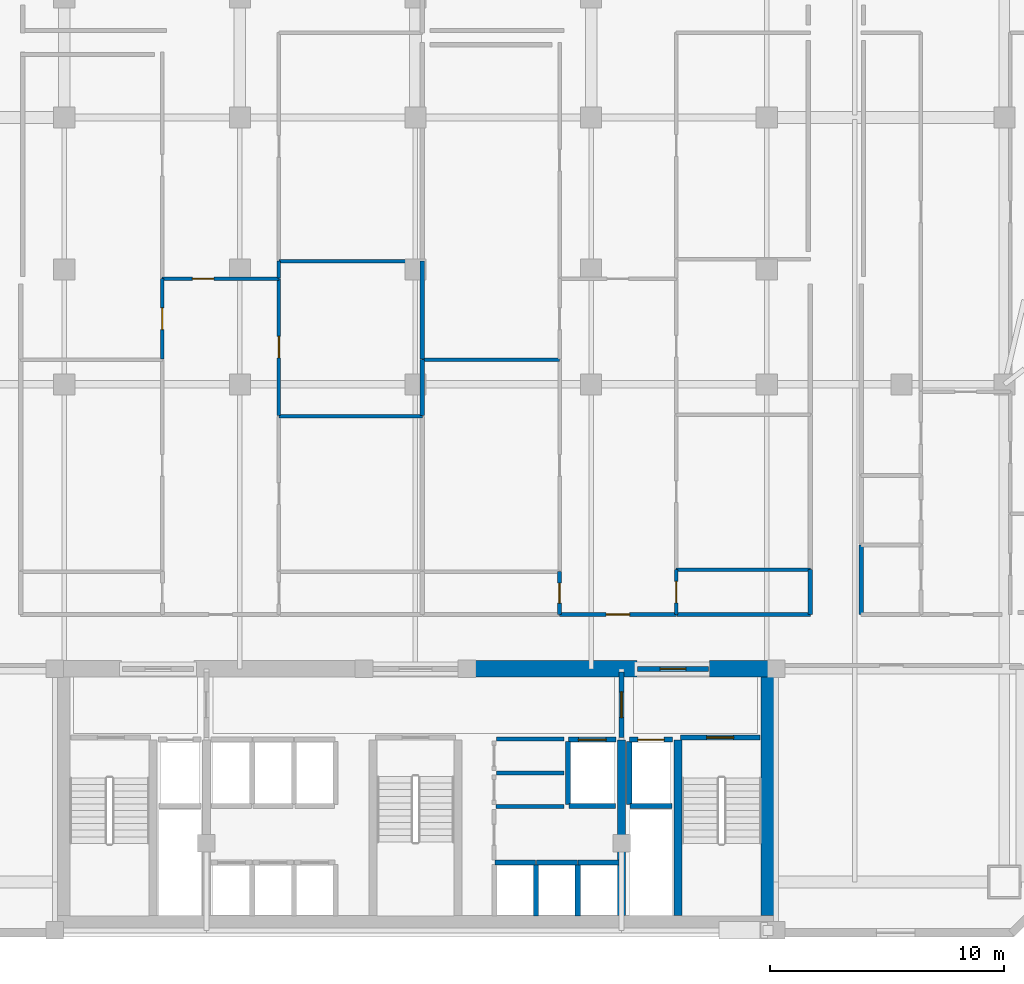
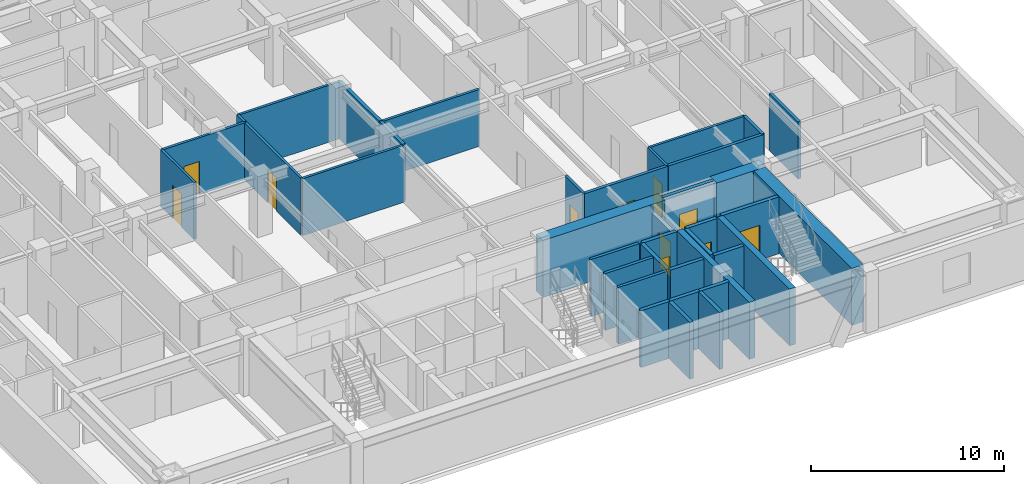
# One storey, part 5 of 10: 38 walls, 11 doors, 11 openings.
"""IFC4 building model written with IfcOpenShell, lengths in metres."""

from ifc_helpers import new_model, si_unit, direction, frame, frame_2d, origin, place, context, subcontext, project, spatial, rectangle, extrude, material, layer, layer_set, type_object, element, fill, save


model = new_model("IFC4")

# Units and contexts
model_context = context("Model", 3, precision=1e-05, world=origin(), true_north=direction((0.0, 1.0)))
body_context = subcontext(model_context, "Body", "Model", "MODEL_VIEW")
ifc_project = project(units=[si_unit("LENGTHUNIT", "METRE"), si_unit("AREAUNIT", "SQUARE_METRE"), si_unit("VOLUMEUNIT", "CUBIC_METRE"), si_unit("PLANEANGLEUNIT", "RADIAN"), si_unit("MASSUNIT", "GRAM", prefix="KILO")], contexts=[model_context])

# Site, building, storey
site_placement = place(None, origin())
site = spatial("IfcSite", under=ifc_project, at=site_placement, CompositionType="ELEMENT")
building_placement = place(site_placement, origin())
building = spatial("IfcBuilding", under=site, at=building_placement, Name="Ventersveld Concourse Tower", CompositionType="ELEMENT")
storey_placement = place(building_placement, frame((0.0, 0.0, 88.75)))
storey = spatial("IfcBuildingStorey", under=building, at=storey_placement, Name="L21", CompositionType="ELEMENT", Elevation=88.75)

# Walls
ifc_material_1 = material(Name="Concrete C60/75", Category="concrete")
ifc_layer_1 = layer(ifc_material_1, 0.35009765625)
ifc_layer_set_1 = layer_set([ifc_layer_1], Name="Concrete C60/75")
wall_type_1 = type_object("IfcWallType", Name="WL-CORE-350L", PredefinedType="SHEAR", material=ifc_layer_set_1)
for number, where, z_axis, x_axis, name in (
    (1, (37.550048828125, 0.919921875, 0.0), (0.0, 0.0, 1.0), (0.0, 1.0, 0.0), "L21 Core Internal Shear Web W-SVL-W"),
    (2, (39.9599609375, 0.919921875, 0.0), (0.0, 0.0, 1.0), (0.0, 1.0, 0.0), "L21 Core Internal Shear Web W-ST2-W"),
):
    element("IfcWall", number, at=place(storey_placement, frame(where, z_axis=z_axis, x_axis=x_axis)), inside=storey, type_object=wall_type_1, Name=name, PredefinedType="SHEAR", context=body_context, shape_type="SweptSolid", body=[
        extrude(rectangle(XDim=7.5, YDim=0.35009765625, at=frame_2d((3.75, 0.0))), origin(), (0.0, 0.0, 1.0), 3.60009765625),
    ])
ifc_layer_2 = layer(ifc_material_1, 0.699951171875)
ifc_layer_set_2 = layer_set([ifc_layer_2], Name="Concrete C60/75")
wall_type_2 = type_object("IfcWallType", Name="WL-CORE-700", PredefinedType="SHEAR", material=ifc_layer_set_2)
wall_1_placement = place(storey_placement, frame((43.85009765625, 0.919921875, 0.0), z_axis=(0.0, 0.0, 1.0), x_axis=(0.0, 1.0, 0.0)))
element("IfcWall", 3, at=wall_1_placement, inside=storey, type_object=wall_type_2, Name="L21 Rear Core East Shear Wall", PredefinedType="SHEAR", context=body_context, shape_type="SweptSolid", body=[
    extrude(rectangle(XDim=10.530029296875, YDim=0.699951171875, at=frame_2d((5.26513671875, 0.0))), origin(), (0.0, 0.0, 1.0), 3.60009765625),
])
wall_2_placement = place(storey_placement, frame((30.89990234375, 11.449951171875, 0.0), z_axis=(0.0, 0.0, 1.0), x_axis=(1.0, 0.0, 0.0)))
element("IfcWall", 4, at=wall_2_placement, inside=storey, type_object=wall_type_2, Name="L21 Rear Core North Shear Wall NMR", PredefinedType="SHEAR", context=body_context, shape_type="SweptSolid", body=[
    extrude(rectangle(XDim=7.300048828125, YDim=0.699951171875, at=frame_2d((3.64990234375, 0.0))), origin(), (0.0, 0.0, 1.0), 3.60009765625),
])
wall_3_placement = place(storey_placement, frame((41.300048828125, 11.449951171875, 0.0), z_axis=(0.0, 0.0, 1.0), x_axis=(1.0, 0.0, 0.0)))
element("IfcWall", 5, at=wall_3_placement, inside=storey, type_object=wall_type_2, Name="L21 Rear Core North Shear Wall NE", PredefinedType="SHEAR", context=body_context, shape_type="SweptSolid", body=[
    extrude(rectangle(XDim=2.949951171875, YDim=0.699951171875, at=frame_2d((1.47509765625, 0.0))), origin(), (0.0, 0.0, 1.0), 3.60009765625),
])
ifc_material_2 = material(Name="Fire-rated autoclaved aerated masonry blockwork", Category="masonry")
ifc_layer_3 = layer(ifc_material_2, 0.179931640625)
ifc_layer_set_3 = layer_set([ifc_layer_3], Name="Fire-rated autoclaved aerated masonry blockwork")
wall_type_3 = type_object("IfcWallType", Name="WL-CORR-180", PredefinedType="PARTITIONING", material=ifc_layer_set_3)
wall_4_placement = place(storey_placement, frame((32.219970703125, 7.0, 0.0), z_axis=(0.0, 0.0, 1.0), x_axis=(1.0, 0.0, 0.0)))
element("IfcWall", 6, at=wall_4_placement, inside=storey, type_object=wall_type_3, Name="L21 Core Top Wall SP-L21-CBAY1S", PredefinedType="PARTITIONING", context=body_context, shape_type="SweptSolid", body=[
    extrude(rectangle(XDim=2.880126953125, YDim=0.179931640625, at=frame_2d((1.43994140625, 0.0))), origin(), (0.0, 0.0, 1.0), 3.60009765625),
])
wall_5_placement = place(storey_placement, frame((32.179931640625, 5.570068359375, 0.0), z_axis=(0.0, 0.0, 1.0), x_axis=(1.0, 0.0, 0.0)))
element("IfcWall", 7, at=wall_5_placement, inside=storey, type_object=wall_type_3, Name="L21 Core Bot Wall SP-L21-CBAY1S", PredefinedType="PARTITIONING", context=body_context, shape_type="SweptSolid", body=[
    extrude(rectangle(XDim=2.920166015625, YDim=0.179931640625, at=frame_2d((1.4599609375, 0.0))), origin(), (0.0, 0.0, 1.0), 3.60009765625),
])
wall_6_placement = place(storey_placement, frame((32.219970703125, 8.4599609375, 0.0), z_axis=(0.0, 0.0, 1.0), x_axis=(1.0, 0.0, 0.0)))
element("IfcWall", 8, at=wall_6_placement, inside=storey, type_object=wall_type_3, Name="L21 Core Top Wall SP-L21-CBAY1N", PredefinedType="PARTITIONING", context=body_context, shape_type="SweptSolid", body=[
    extrude(rectangle(XDim=2.880126953125, YDim=0.179931640625, at=frame_2d((1.43994140625, 0.0))), origin(), (0.0, 0.0, 1.0), 3.60009765625),
])
wall_7_placement = place(storey_placement, frame((47.7900390625, 13.764892578125, 0.0), z_axis=(0.0, 0.0, 1.0), x_axis=(0.0, 1.0, 0.0)))
element("IfcWall", 9, at=wall_7_placement, inside=storey, type_object=wall_type_3, Name="L21 Interior Partition SP-L21-COR-SP-L21-21NE-BATH", PredefinedType="PARTITIONING", context=body_context, shape_type="SweptSolid", body=[
    extrude(rectangle(XDim=2.978271484375, YDim=0.179931640625, at=frame_2d((1.4892578125, 0.0))), origin(), (0.0, 0.0, 1.0), 3.60009765625),
])

# Wall, opening, door
wall_8_placement = place(storey_placement, frame((34.896484375, 13.77001953125, 0.0), z_axis=(0.0, 0.0, 1.0), x_axis=(1.0, 0.0, 0.0)))
wall_8 = element("IfcWall", 10, at=wall_8_placement, inside=storey, type_object=wall_type_3, Name="L21 Interior Partition SP-L21-COR-SP-L21-21N2-FOY", PredefinedType="PARTITIONING", context=body_context, shape_type="SweptSolid", body=[
    extrude(rectangle(XDim=4.990234375, YDim=0.179931640625, at=frame_2d((2.4951171875, 0.0))), origin(), (0.0, 0.0, 1.0), 3.60009765625),
])
opening_1_placement = place(wall_8_placement, frame((1.9951171875, 0.0, 0.0)))
opening_1 = element("IfcOpeningElement", 11, at=opening_1_placement, cuts=wall_8, Name="Opening FD3", PredefinedType="OPENING", context=body_context, shape_type="SweptSolid", body=[
    extrude(rectangle(XDim=1.0, YDim=2.14990234375, at=frame_2d((0.5, 1.074951171875))), frame((0.0, 0.10009765625, 0.0), z_axis=(0.0, -1.0, 0.0), x_axis=(1.0, 0.0, 0.0)), (0.0, 0.0, 1.0), 0.199951171875),
])
ifc_material_3 = material(Name="Solid-core hardwood veneer timber", Category="wood")
door_type_1 = type_object("IfcDoorType", Name="DR-FLAT-100", OperationType="NOTDEFINED", PredefinedType="DOOR", material=ifc_material_3)
door_1_placement = place(opening_1_placement, origin())
door_1 = element("IfcDoor", 12, at=door_1_placement, inside=storey, type_object=door_type_1, Name="L21 Interior Door SP-L21-COR to SP-L21-21N2-FOY (FD-L21-1013)", OperationType="SINGLE_SWING_LEFT", OverallHeight=2.14990234375, OverallWidth=1.0, PredefinedType="DOOR", context=body_context, shape_type="SweptSolid", body=[
    extrude(rectangle(XDim=1.0, YDim=2.14990234375, at=frame_2d((0.5, 1.074951171875))), frame((0.0, 0.02490234375, 0.0), z_axis=(0.0, -1.0, 0.0), x_axis=(1.0, 0.0, 0.0)), (0.0, 0.0, 1.0), 0.050048828125),
])
fill(opening_1, door_1)

# Walls
wall_9_placement = place(storey_placement, frame((39.91650390625, 13.77001953125, 0.0), z_axis=(0.0, 0.0, 1.0), x_axis=(1.0, 0.0, 0.0)))
element("IfcWall", 13, at=wall_9_placement, inside=storey, type_object=wall_type_3, Name="L21 Interior Partition SP-L21-COR-SP-L21-21N2-KIT", PredefinedType="PARTITIONING", context=body_context, shape_type="SweptSolid", body=[
    extrude(rectangle(XDim=5.698486328125, YDim=0.179931640625, at=frame_2d((2.84912109375, 0.0))), origin(), (0.0, 0.0, 1.0), 3.60009765625),
])
wall_10_placement = place(storey_placement, frame((45.610107421875, 13.764892578125, 0.0), z_axis=(0.0, 0.0, 1.0), x_axis=(0.0, 1.0, 0.0)))
element("IfcWall", 14, at=wall_10_placement, inside=storey, type_object=wall_type_3, Name="L21 Interior Partition SP-L21-COR-SP-L21-21N2-KIT", PredefinedType="PARTITIONING", context=body_context, shape_type="SweptSolid", body=[
    extrude(rectangle(XDim=1.92041015625, YDim=0.179931640625, at=frame_2d((0.960205078125, 0.0))), origin(), (0.0, 0.0, 1.0), 3.60009765625),
])
ifc_layer_4 = layer(ifc_material_2, 0.199951171875)
ifc_layer_set_4 = layer_set([ifc_layer_4], Name="Fire-rated autoclaved aerated masonry blockwork")
wall_type_4 = type_object("IfcWallType", Name="WL-DEMISE-200", PredefinedType="PARTITIONING", material=ifc_layer_set_4)
wall_11_placement = place(storey_placement, frame((29.036865234375, 22.267822265625, 0.0), z_axis=(0.0, 0.0, 1.0), x_axis=(0.0, 1.0, 0.0)))
element("IfcWall", 15, at=wall_11_placement, inside=storey, type_object=wall_type_4, Name="L21 Interior Partition SP-L21-21N1-DENS-SP-L21-21N2-DENL", PredefinedType="PARTITIONING", context=body_context, shape_type="SweptSolid", body=[
    extrude(rectangle(XDim=2.386962890625, YDim=0.199951171875, at=frame_2d((1.193359375, 0.0))), origin(), (0.0, 0.0, 1.0), 3.60009765625),
])
wall_12_placement = place(storey_placement, frame((29.036865234375, 24.684814453125, 0.0), z_axis=(0.0, 0.0, 1.0), x_axis=(0.0, 1.0, 0.0)))
element("IfcWall", 16, at=wall_12_placement, inside=storey, type_object=wall_type_4, Name="L21 Interior Partition SP-L21-21N1-DENS-SP-L21-21N2-DENL2", PredefinedType="PARTITIONING", context=body_context, shape_type="SweptSolid", body=[
    extrude(rectangle(XDim=4.18603515625, YDim=0.199951171875, at=frame_2d((2.093017578125, 0.0))), origin(), (0.0, 0.0, 1.0), 3.60009765625),
])
ifc_layer_5 = layer(ifc_material_2, 0.219970703125)
ifc_layer_set_5 = layer_set([ifc_layer_5], Name="Fire-rated autoclaved aerated masonry blockwork")
wall_type_5 = type_object("IfcWallType", Name="WL-HOIST-220", PredefinedType="SOLIDWALL", material=ifc_layer_set_5)
wall_13_placement = place(storey_placement, frame((37.919921875, 5.590087890625, 0.0), z_axis=(0.0, 0.0, 1.0), x_axis=(1.0, 0.0, 0.0)))
element("IfcWall", 17, at=wall_13_placement, inside=storey, type_object=wall_type_5, Name="L21 Lift Hoistway Back Wall FFL-02", PredefinedType="SOLIDWALL", context=body_context, shape_type="SweptSolid", body=[
    extrude(rectangle(XDim=1.780029296875, YDim=0.219970703125, at=frame_2d((0.89013671875, 0.0))), origin(), (0.0, 0.0, 1.0), 3.60009765625),
])
wall_14_placement = place(storey_placement, frame((37.8798828125, 5.64990234375, 0.0), z_axis=(0.0, 0.0, 1.0), x_axis=(0.0, 1.0, 0.0)))
element("IfcWall", 18, at=wall_14_placement, inside=storey, type_object=wall_type_5, Name="L21 Lift Hoistway Side Wall FFL-02W", PredefinedType="SOLIDWALL", context=body_context, shape_type="SweptSolid", body=[
    extrude(rectangle(XDim=2.7001953125, YDim=0.219970703125, at=frame_2d((1.35009765625, 0.0))), origin(), (0.0, 0.0, 1.0), 3.60009765625),
])

# Wall, opening, door
wall_15_placement = place(storey_placement, frame((37.89990234375, 8.429931640625, 0.0), z_axis=(0.0, 0.0, 1.0), x_axis=(1.0, 0.0, 0.0)))
wall_15 = element("IfcWall", 19, at=wall_15_placement, inside=storey, type_object=wall_type_5, Name="L21 Lift Hoistway Front Wall FFL-02", PredefinedType="SOLIDWALL", context=body_context, shape_type="SweptSolid", body=[
    extrude(rectangle(XDim=1.820068359375, YDim=0.219970703125, at=frame_2d((0.91015625, 0.0))), origin(), (0.0, 0.0, 1.0), 3.60009765625),
])
opening_2_placement = place(wall_15_placement, frame((0.35009765625, 0.0, 0.0)))
opening_2 = element("IfcOpeningElement", 20, at=opening_2_placement, cuts=wall_15, Name="Opening LD1", PredefinedType="OPENING", context=body_context, shape_type="SweptSolid", body=[
    extrude(rectangle(XDim=1.1201171875, YDim=2.25, at=frame_2d((0.56005859375, 1.125))), frame((0.0, 0.1201171875, 0.0), z_axis=(0.0, -1.0, 0.0), x_axis=(1.0, 0.0, 0.0)), (0.0, 0.0, 1.0), 0.239990234375),
])
ifc_material_4 = material(Name="Brushed stainless steel 316", Category="steel")
door_type_2 = type_object("IfcDoorType", Name="LD-FF-112", OperationType="SLIDING_TO_LEFT", PredefinedType="DOOR", material=ifc_material_4)
door_2_placement = place(opening_2_placement, origin())
door_2 = element("IfcDoor", 21, at=door_2_placement, inside=storey, type_object=door_type_2, Name="L21 Lift landing door FFL-02 (LD-L21-FFL-02)", OperationType="SLIDING_TO_RIGHT", OverallHeight=2.25, OverallWidth=1.1201171875, PredefinedType="DOOR", context=body_context, shape_type="SweptSolid", body=[
    extrude(rectangle(XDim=1.1201171875, YDim=2.25, at=frame_2d((0.56005859375, 1.125))), frame((0.0, 0.02490234375, 0.0), z_axis=(0.0, -1.0, 0.0), x_axis=(1.0, 0.0, 0.0)), (0.0, 0.0, 1.0), 0.050048828125),
])
fill(opening_2, door_2)

# Walls
wall_16_placement = place(storey_placement, frame((35.300048828125, 5.590087890625, 0.0), z_axis=(0.0, 0.0, 1.0), x_axis=(1.0, 0.0, 0.0)))
element("IfcWall", 22, at=wall_16_placement, inside=storey, type_object=wall_type_5, Name="L21 Lift Hoistway Back Wall SVL-01", PredefinedType="SOLIDWALL", context=body_context, shape_type="SweptSolid", body=[
    extrude(rectangle(XDim=2.0, YDim=0.219970703125, at=frame_2d((1.0, 0.0))), origin(), (0.0, 0.0, 1.0), 3.60009765625),
])
wall_17_placement = place(storey_placement, frame((35.260009765625, 5.64990234375, 0.0), z_axis=(0.0, 0.0, 1.0), x_axis=(0.0, 1.0, 0.0)))
element("IfcWall", 23, at=wall_17_placement, inside=storey, type_object=wall_type_5, Name="L21 Lift Hoistway Side Wall SVL-01W", PredefinedType="SOLIDWALL", context=body_context, shape_type="SweptSolid", body=[
    extrude(rectangle(XDim=2.7001953125, YDim=0.219970703125, at=frame_2d((1.35009765625, 0.0))), origin(), (0.0, 0.0, 1.0), 3.60009765625),
])

# Wall, opening, door
wall_18_placement = place(storey_placement, frame((35.280029296875, 8.429931640625, 0.0), z_axis=(0.0, 0.0, 1.0), x_axis=(1.0, 0.0, 0.0)))
wall_18 = element("IfcWall", 24, at=wall_18_placement, inside=storey, type_object=wall_type_5, Name="L21 Lift Hoistway Front Wall SVL-01", PredefinedType="SOLIDWALL", context=body_context, shape_type="SweptSolid", body=[
    extrude(rectangle(XDim=2.0400390625, YDim=0.219970703125, at=frame_2d((1.02001953125, 0.0))), origin(), (0.0, 0.0, 1.0), 3.60009765625),
])
opening_3_placement = place(wall_18_placement, frame((0.429931640625, 0.0, 0.0)))
opening_3 = element("IfcOpeningElement", 25, at=opening_3_placement, cuts=wall_18, Name="Opening LD2", PredefinedType="OPENING", context=body_context, shape_type="SweptSolid", body=[
    extrude(rectangle(XDim=1.179931640625, YDim=2.199951171875, at=frame_2d((0.58984375, 1.10009765625))), frame((0.0, 0.1201171875, 0.0), z_axis=(0.0, -1.0, 0.0), x_axis=(1.0, 0.0, 0.0)), (0.0, 0.0, 1.0), 0.239990234375),
])
door_type_3 = type_object("IfcDoorType", Name="LD-PAX-118", OperationType="SLIDING_TO_LEFT", PredefinedType="DOOR", material=ifc_material_4)
door_3_placement = place(opening_3_placement, origin())
door_3 = element("IfcDoor", 26, at=door_3_placement, inside=storey, type_object=door_type_3, Name="L21 Lift landing door SVL-01 (LD-L21-SVL-01)", OperationType="SLIDING_TO_LEFT", OverallHeight=2.199951171875, OverallWidth=1.179931640625, PredefinedType="DOOR", context=body_context, shape_type="SweptSolid", body=[
    extrude(rectangle(XDim=1.179931640625, YDim=2.199951171875, at=frame_2d((0.58984375, 1.10009765625))), frame((0.0, 0.02490234375, 0.0), z_axis=(0.0, -1.0, 0.0), x_axis=(1.0, 0.0, 0.0)), (0.0, 0.0, 1.0), 0.050048828125),
])
fill(opening_3, door_3)

# Walls
wall_19_placement = place(storey_placement, frame((33.89990234375, 0.89990234375, 0.0), z_axis=(0.0, 0.0, 1.0), x_axis=(0.0, 1.0, 0.0)))
element("IfcWall", 27, at=wall_19_placement, inside=storey, type_object=wall_type_5, Name="L21 Lift Hoistway Side Wall PM-01E", PredefinedType="SOLIDWALL", context=body_context, shape_type="SweptSolid", body=[
    extrude(rectangle(XDim=2.2001953125, YDim=0.219970703125, at=frame_2d((1.10009765625, 0.0))), origin(), (0.0, 0.0, 1.0), 3.60009765625),
])
wall_20_placement = place(storey_placement, frame((32.139892578125, 3.179931640625, 0.0), z_axis=(0.0, 0.0, 1.0), x_axis=(1.0, 0.0, 0.0)))
element("IfcWall", 28, at=wall_20_placement, inside=storey, type_object=wall_type_5, Name="L21 Lift Hoistway Front Wall PM-01", PredefinedType="SOLIDWALL", context=body_context, shape_type="SweptSolid", body=[
    extrude(rectangle(XDim=1.739990234375, YDim=0.219970703125, at=frame_2d((0.8701171875, 0.0))), origin(), (0.0, 0.0, 1.0), 3.60009765625),
])
wall_21_placement = place(storey_placement, frame((35.679931640625, 0.89990234375, 0.0), z_axis=(0.0, 0.0, 1.0), x_axis=(0.0, 1.0, 0.0)))
element("IfcWall", 29, at=wall_21_placement, inside=storey, type_object=wall_type_5, Name="L21 Lift Hoistway Side Wall PM-02E", PredefinedType="SOLIDWALL", context=body_context, shape_type="SweptSolid", body=[
    extrude(rectangle(XDim=2.2001953125, YDim=0.219970703125, at=frame_2d((1.10009765625, 0.0))), origin(), (0.0, 0.0, 1.0), 3.60009765625),
])
for number, where, z_axis, x_axis, name in (
    (30, (33.919921875, 3.179931640625, 0.0), (0.0, 0.0, 1.0), (1.0, 0.0, 0.0), "L21 Lift Hoistway Front Wall PM-02"),
    (31, (35.699951171875, 3.179931640625, 0.0), (0.0, 0.0, 1.0), (1.0, 0.0, 0.0), "L21 Lift Hoistway Front Wall PM-03"),
):
    element("IfcWall", number, at=place(storey_placement, frame(where, z_axis=z_axis, x_axis=x_axis)), inside=storey, type_object=wall_type_5, Name=name, PredefinedType="SOLIDWALL", context=body_context, shape_type="SweptSolid", body=[
        extrude(rectangle(XDim=1.739990234375, YDim=0.219970703125, at=frame_2d((0.8701171875, 0.0))), origin(), (0.0, 0.0, 1.0), 3.60009765625),
    ])

# Wall, opening, door
wall_22_placement = place(storey_placement, frame((40.06005859375, 8.52001953125, 0.0), z_axis=(0.0, 0.0, 1.0), x_axis=(1.0, 0.0, 0.0)))
wall_22 = element("IfcWall", 32, at=wall_22_placement, inside=storey, type_object=wall_type_5, Name="L21 Escape Stair ST02 Fire Wall", PredefinedType="SOLIDWALL", context=body_context, shape_type="SweptSolid", body=[
    extrude(rectangle(XDim=3.39990234375, YDim=0.219970703125, at=frame_2d((1.699951171875, 0.0))), origin(), (0.0, 0.0, 1.0), 3.60009765625),
])
opening_4_placement = place(wall_22_placement, frame((1.125, 0.0, 0.0)))
opening_4 = element("IfcOpeningElement", 33, at=opening_4_placement, cuts=wall_22, Name="Opening FD1", PredefinedType="OPENING", context=body_context, shape_type="SweptSolid", body=[
    extrude(rectangle(XDim=1.14990234375, YDim=2.199951171875, at=frame_2d((0.574951171875, 1.10009765625))), frame((0.0, 0.1201171875, 0.0), z_axis=(0.0, -1.0, 0.0), x_axis=(1.0, 0.0, 0.0)), (0.0, 0.0, 1.0), 0.239990234375),
])
ifc_material_5 = material(Name="Galvanised painted steel", Category="steel")
door_type_4 = type_object("IfcDoorType", Name="DR-STAIR-115", OperationType="NOTDEFINED", PredefinedType="DOOR", material=ifc_material_5)
door_4_placement = place(opening_4_placement, origin())
door_4 = element("IfcDoor", 34, at=door_4_placement, inside=storey, type_object=door_type_4, Name="L21 Escape Stair Door ST02 (SD-L21-0998)", OperationType="SINGLE_SWING_RIGHT", OverallHeight=2.199951171875, OverallWidth=1.14990234375, PredefinedType="DOOR", context=body_context, shape_type="SweptSolid", body=[
    extrude(rectangle(XDim=1.14990234375, YDim=2.199951171875, at=frame_2d((0.574951171875, 1.10009765625))), frame((0.0, 0.02490234375, 0.0), z_axis=(0.0, -1.0, 0.0), x_axis=(1.0, 0.0, 0.0)), (0.0, 0.0, 1.0), 0.050048828125),
])
fill(opening_4, door_4)

wall_23_placement = place(storey_placement, frame((37.550048828125, 8.52001953125, 0.0), z_axis=(0.0, 0.0, 1.0), x_axis=(0.0, 1.0, 0.0)))
wall_23 = element("IfcWall", 35, at=wall_23_placement, inside=storey, type_object=wall_type_5, Name="L21 Firefighting Lobby Smoke-Stop Wall FFLE-SEP", PredefinedType="SOLIDWALL", context=body_context, shape_type="SweptSolid", body=[
    extrude(rectangle(XDim=2.800048828125, YDim=0.219970703125, at=frame_2d((1.39990234375, 0.0))), origin(), (0.0, 0.0, 1.0), 3.055419921875),
])
opening_5_placement = place(wall_23_placement, frame((0.85009765625, 0.0, 0.0)))
opening_5 = element("IfcOpeningElement", 36, at=opening_5_placement, cuts=wall_23, Name="Opening FD2", PredefinedType="OPENING", context=body_context, shape_type="SweptSolid", body=[
    extrude(rectangle(XDim=1.10009765625, YDim=2.199951171875, at=frame_2d((0.550048828125, 1.10009765625))), frame((0.0, 0.1201171875, 0.0), z_axis=(0.0, -1.0, 0.0), x_axis=(1.0, 0.0, 0.0)), (0.0, 0.0, 1.0), 0.239990234375),
])
door_type_5 = type_object("IfcDoorType", Name="DR-FFL-110", OperationType="NOTDEFINED", PredefinedType="DOOR", material=ifc_material_5)
door_5_placement = place(opening_5_placement, origin())
door_5 = element("IfcDoor", 37, at=door_5_placement, inside=storey, type_object=door_type_5, Name="L21 Firefighting Lobby Door FFLE-SEP (FD-L21-1001)", OperationType="SINGLE_SWING_RIGHT", OverallHeight=2.199951171875, OverallWidth=1.10009765625, PredefinedType="DOOR", context=body_context, shape_type="SweptSolid", body=[
    extrude(rectangle(XDim=1.10009765625, YDim=2.199951171875, at=frame_2d((0.550048828125, 1.10009765625))), frame((0.0, 0.02490234375, 0.0), z_axis=(0.0, -1.0, 0.0), x_axis=(1.0, 0.0, 0.0)), (0.0, 0.0, 1.0), 0.050048828125),
])
fill(opening_5, door_5)

wall_24_placement = place(storey_placement, frame((38.22998046875, 11.449951171875, 0.0), z_axis=(0.0, 0.0, 1.0), x_axis=(1.0, 0.0, 0.0)))
wall_24 = element("IfcWall", 38, at=wall_24_placement, inside=storey, type_object=wall_type_5, Name="L21 Core North Fire Portal FFLE-OUT", PredefinedType="SOLIDWALL", context=body_context, shape_type="SweptSolid", body=[
    extrude(rectangle(XDim=3.0400390625, YDim=0.219970703125, at=frame_2d((1.52001953125, 0.0))), origin(), (0.0, 0.0, 1.0), 3.60009765625),
])
opening_6_placement = place(wall_24_placement, frame((0.969970703125, 0.0, 0.0)))
opening_6 = element("IfcOpeningElement", 39, at=opening_6_placement, cuts=wall_24, Name="Opening FD2", PredefinedType="OPENING", context=body_context, shape_type="SweptSolid", body=[
    extrude(rectangle(XDim=1.10009765625, YDim=2.199951171875, at=frame_2d((0.550048828125, 1.10009765625))), frame((0.0, 0.1201171875, 0.0), z_axis=(0.0, -1.0, 0.0), x_axis=(1.0, 0.0, 0.0)), (0.0, 0.0, 1.0), 0.239990234375),
])
door_6_placement = place(opening_6_placement, origin())
door_6 = element("IfcDoor", 40, at=door_6_placement, inside=storey, type_object=door_type_5, Name="L21 Core Lobby Fire Door FFLE-OUT (FD-L21-1004)", OperationType="SINGLE_SWING_LEFT", OverallHeight=2.199951171875, OverallWidth=1.10009765625, PredefinedType="DOOR", context=body_context, shape_type="SweptSolid", body=[
    extrude(rectangle(XDim=1.10009765625, YDim=2.199951171875, at=frame_2d((0.550048828125, 1.10009765625))), frame((0.0, 0.02490234375, 0.0), z_axis=(0.0, -1.0, 0.0), x_axis=(1.0, 0.0, 0.0)), (0.0, 0.0, 1.0), 0.050048828125),
])
fill(opening_6, door_6)

ifc_material_6 = material(Name="Autoclaved aerated masonry blockwork", Category="masonry")
ifc_layer_6 = layer(ifc_material_6, 0.14990234375)
ifc_layer_set_6 = layer_set([ifc_layer_6], Name="Autoclaved aerated masonry blockwork")
wall_type_6 = type_object("IfcWallType", Name="WL-INT-150", PredefinedType="PARTITIONING", material=ifc_layer_set_6)
wall_25_placement = place(storey_placement, frame((17.93310546875, 28.11669921875, 0.0), z_axis=(0.0, 0.0, 1.0), x_axis=(1.0, 0.0, 0.0)))
wall_25 = element("IfcWall", 41, at=wall_25_placement, inside=storey, type_object=wall_type_6, Name="L21 Interior Partition SP-L21-21N1-FOY-SP-L21-21N1-LIV", PredefinedType="PARTITIONING", context=body_context, shape_type="SweptSolid", body=[
    extrude(rectangle(XDim=4.989990234375, YDim=0.14990234375, at=frame_2d((2.4951171875, 0.0))), origin(), (0.0, 0.0, 1.0), 3.60009765625),
])
opening_7_placement = place(wall_25_placement, frame((1.28662109375, 0.0, 0.0)))
opening_7 = element("IfcOpeningElement", 42, at=opening_7_placement, cuts=wall_25, Name="Opening ID1", PredefinedType="OPENING", context=body_context, shape_type="SweptSolid", body=[
    extrude(rectangle(XDim=0.919921875, YDim=2.10009765625, at=frame_2d((0.4599609375, 1.050048828125))), frame((0.0, 0.0849609375, 0.0), z_axis=(0.0, -1.0, 0.0), x_axis=(1.0, 0.0, 0.0)), (0.0, 0.0, 1.0), 0.169921875),
])
door_type_6 = type_object("IfcDoorType", Name="DR-ROOM-092", OperationType="NOTDEFINED", PredefinedType="DOOR", material=ifc_material_3)
door_7_placement = place(opening_7_placement, origin())
door_7 = element("IfcDoor", 43, at=door_7_placement, inside=storey, type_object=door_type_6, Name="L21 Interior Door SP-L21-21N1-FOY to SP-L21-21N1-LIV (D-L21-1035)", OperationType="SINGLE_SWING_LEFT", OverallHeight=2.10009765625, OverallWidth=0.919921875, PredefinedType="DOOR", context=body_context, shape_type="SweptSolid", body=[
    extrude(rectangle(XDim=0.919921875, YDim=2.10009765625, at=frame_2d((0.4599609375, 1.050048828125))), frame((0.0, 0.02490234375, 0.0), z_axis=(0.0, -1.0, 0.0), x_axis=(1.0, 0.0, 0.0)), (0.0, 0.0, 1.0), 0.050048828125),
])
fill(opening_7, door_7)

wall_26_placement = place(storey_placement, frame((17.938232421875, 24.684814453125, 0.0), z_axis=(0.0, 0.0, 1.0), x_axis=(0.0, 1.0, 0.0)))
wall_26 = element("IfcWall", 44, at=wall_26_placement, inside=storey, type_object=wall_type_6, Name="L21 Interior Partition SP-L21-21N1-FOY-SP-L21-21N1-DENL2", PredefinedType="PARTITIONING", context=body_context, shape_type="SweptSolid", body=[
    extrude(rectangle(XDim=3.436767578125, YDim=0.14990234375, at=frame_2d((1.71826171875, 0.0))), origin(), (0.0, 0.0, 1.0), 3.60009765625),
])
opening_8_placement = place(wall_26_placement, frame((1.25830078125, 0.0, 0.0)))
opening_8 = element("IfcOpeningElement", 45, at=opening_8_placement, cuts=wall_26, Name="Opening ID1", PredefinedType="OPENING", context=body_context, shape_type="SweptSolid", body=[
    extrude(rectangle(XDim=0.919921875, YDim=2.10009765625, at=frame_2d((0.4599609375, 1.050048828125))), frame((0.0, 0.0849609375, 0.0), z_axis=(0.0, -1.0, 0.0), x_axis=(1.0, 0.0, 0.0)), (0.0, 0.0, 1.0), 0.169921875),
])
door_8_placement = place(opening_8_placement, origin())
door_8 = element("IfcDoor", 46, at=door_8_placement, inside=storey, type_object=door_type_6, Name="L21 Interior Door SP-L21-21N1-FOY to SP-L21-21N1-DENL2 (D-L21-1038)", OperationType="SINGLE_SWING_RIGHT", OverallHeight=2.10009765625, OverallWidth=0.919921875, PredefinedType="DOOR", context=body_context, shape_type="SweptSolid", body=[
    extrude(rectangle(XDim=0.919921875, YDim=2.10009765625, at=frame_2d((0.4599609375, 1.050048828125))), frame((0.0, 0.02490234375, 0.0), z_axis=(0.0, -1.0, 0.0), x_axis=(1.0, 0.0, 0.0)), (0.0, 0.0, 1.0), 0.050048828125),
])
fill(opening_8, door_8)

wall_27_placement = place(storey_placement, frame((22.918212890625, 22.267822265625, 0.0), z_axis=(0.0, 0.0, 1.0), x_axis=(0.0, 1.0, 0.0)))
wall_27 = element("IfcWall", 47, at=wall_27_placement, inside=storey, type_object=wall_type_6, Name="L21 Interior Partition SP-L21-21N1-FOY-SP-L21-21N1-DENS", PredefinedType="PARTITIONING", context=body_context, shape_type="SweptSolid", body=[
    extrude(rectangle(XDim=5.853759765625, YDim=0.14990234375, at=frame_2d((2.9267578125, 0.0))), origin(), (0.0, 0.0, 1.0), 3.60009765625),
])
opening_9_placement = place(wall_27_placement, frame((2.466796875, 0.0, 0.0)))
opening_9 = element("IfcOpeningElement", 48, at=opening_9_placement, cuts=wall_27, Name="Opening ID1", PredefinedType="OPENING", context=body_context, shape_type="SweptSolid", body=[
    extrude(rectangle(XDim=0.919921875, YDim=2.10009765625, at=frame_2d((0.4599609375, 1.050048828125))), frame((0.0, 0.0849609375, 0.0), z_axis=(0.0, -1.0, 0.0), x_axis=(1.0, 0.0, 0.0)), (0.0, 0.0, 1.0), 0.169921875),
])
door_9_placement = place(opening_9_placement, origin())
door_9 = element("IfcDoor", 49, at=door_9_placement, inside=storey, type_object=door_type_6, Name="L21 Interior Door SP-L21-21N1-FOY to SP-L21-21N1-DENS (D-L21-1041)", OperationType="SINGLE_SWING_LEFT", OverallHeight=2.10009765625, OverallWidth=0.919921875, PredefinedType="DOOR", context=body_context, shape_type="SweptSolid", body=[
    extrude(rectangle(XDim=0.919921875, YDim=2.10009765625, at=frame_2d((0.4599609375, 1.050048828125))), frame((0.0, 0.02490234375, 0.0), z_axis=(0.0, -1.0, 0.0), x_axis=(1.0, 0.0, 0.0)), (0.0, 0.0, 1.0), 0.050048828125),
])
fill(opening_9, door_9)

# Walls
wall_28_placement = place(storey_placement, frame((22.918212890625, 28.151611328125, 0.0), z_axis=(0.0, 0.0, 1.0), x_axis=(0.0, 1.0, 0.0)))
element("IfcWall", 50, at=wall_28_placement, inside=storey, type_object=wall_type_6, Name="L21 Interior Partition SP-L21-21N1-LIV-SP-L21-21N1-DENS", PredefinedType="PARTITIONING", context=body_context, shape_type="SweptSolid", body=[
    extrude(rectangle(XDim=0.71923828125, YDim=0.14990234375, at=frame_2d((0.359619140625, 0.0))), origin(), (0.0, 0.0, 1.0), 3.60009765625),
])
for number, where, z_axis, x_axis, name in (
    (51, (22.9130859375, 22.23291015625, 0.0), (0.0, 0.0, 1.0), (1.0, 0.0, 0.0), "L21 Interior Partition SP-L21-21N1-DENR-SP-L21-21N1-DENS"),
    (52, (22.9130859375, 28.86572265625, 0.0), (0.0, 0.0, 1.0), (1.0, 0.0, 0.0), "L21 Interior Partition SP-L21-21N1-DENS-SP-L21-21N1-DENS2"),
):
    element("IfcWall", number, at=place(storey_placement, frame(where, z_axis=z_axis, x_axis=x_axis)), inside=storey, type_object=wall_type_6, Name=name, PredefinedType="PARTITIONING", context=body_context, shape_type="SweptSolid", body=[
        extrude(rectangle(XDim=6.12890625, YDim=0.14990234375, at=frame_2d((3.064453125, 0.0))), origin(), (0.0, 0.0, 1.0), 3.60009765625),
    ])

# Wall, opening, door
wall_29_placement = place(storey_placement, frame((39.881591796875, 13.764892578125, 0.0), z_axis=(0.0, 0.0, 1.0), x_axis=(0.0, 1.0, 0.0)))
wall_29 = element("IfcWall", 53, at=wall_29_placement, inside=storey, type_object=wall_type_6, Name="L21 Interior Partition SP-L21-21N2-FOY-SP-L21-21N2-KIT", PredefinedType="PARTITIONING", context=body_context, shape_type="SweptSolid", body=[
    extrude(rectangle(XDim=1.92041015625, YDim=0.14990234375, at=frame_2d((0.960205078125, 0.0))), origin(), (0.0, 0.0, 1.0), 3.60009765625),
])
opening_10_placement = place(wall_29_placement, frame((0.5, 0.0, 0.0)))
opening_10 = element("IfcOpeningElement", 54, at=opening_10_placement, cuts=wall_29, Name="Opening ID1", PredefinedType="OPENING", context=body_context, shape_type="SweptSolid", body=[
    extrude(rectangle(XDim=0.919921875, YDim=2.10009765625, at=frame_2d((0.4599609375, 1.050048828125))), frame((0.0, 0.0849609375, 0.0), z_axis=(0.0, -1.0, 0.0), x_axis=(1.0, 0.0, 0.0)), (0.0, 0.0, 1.0), 0.169921875),
])
door_10_placement = place(opening_10_placement, origin())
door_10 = element("IfcDoor", 55, at=door_10_placement, inside=storey, type_object=door_type_6, Name="L21 Interior Door SP-L21-21N2-FOY to SP-L21-21N2-KIT (D-L21-1051)", OperationType="SINGLE_SWING_LEFT", OverallHeight=2.10009765625, OverallWidth=0.919921875, PredefinedType="DOOR", context=body_context, shape_type="SweptSolid", body=[
    extrude(rectangle(XDim=0.919921875, YDim=2.10009765625, at=frame_2d((0.4599609375, 1.050048828125))), frame((0.0, 0.02490234375, 0.0), z_axis=(0.0, -1.0, 0.0), x_axis=(1.0, 0.0, 0.0)), (0.0, 0.0, 1.0), 0.050048828125),
])
fill(opening_10, door_10)

# Walls
wall_30_placement = place(storey_placement, frame((29.031982421875, 24.64990234375, 0.0), z_axis=(0.0, 0.0, 1.0), x_axis=(1.0, 0.0, 0.0)))
element("IfcWall", 56, at=wall_30_placement, inside=storey, type_object=wall_type_6, Name="L21 Interior Partition SP-L21-21N2-DENL-SP-L21-21N2-DENL2", PredefinedType="PARTITIONING", context=body_context, shape_type="SweptSolid", body=[
    extrude(rectangle(XDim=5.87451171875, YDim=0.14990234375, at=frame_2d((2.937255859375, 0.0))), origin(), (0.0, 0.0, 1.0), 3.60009765625),
])
wall_31_placement = place(storey_placement, frame((39.876708984375, 15.68017578125, 0.0), z_axis=(0.0, 0.0, 1.0), x_axis=(1.0, 0.0, 0.0)))
element("IfcWall", 57, at=wall_31_placement, inside=storey, type_object=wall_type_6, Name="L21 Interior Partition SP-L21-21N2-KIT-SP-L21-21N2-DENR", PredefinedType="PARTITIONING", context=body_context, shape_type="SweptSolid", body=[
    extrude(rectangle(XDim=5.73828125, YDim=0.14990234375, at=frame_2d((2.869140625, 0.0))), origin(), (0.0, 0.0, 1.0), 3.60009765625),
])

# Wall, opening, door
ifc_layer_7 = layer(ifc_material_6, 0.1650390625)
ifc_layer_set_7 = layer_set([ifc_layer_7], Name="Autoclaved aerated masonry blockwork")
wall_type_7 = type_object("IfcWallType", Name="WL-WET-165", PredefinedType="PLUMBINGWALL", material=ifc_layer_set_7)
wall_32_placement = place(storey_placement, frame((34.901611328125, 13.764892578125, 0.0), z_axis=(0.0, 0.0, 1.0), x_axis=(0.0, 1.0, 0.0)))
wall_32 = element("IfcWall", 58, at=wall_32_placement, inside=storey, type_object=wall_type_7, Name="L21 Interior Partition SP-L21-21N2-FOY-SP-L21-21N2-BATH", PredefinedType="PLUMBINGWALL", context=body_context, shape_type="SweptSolid", body=[
    extrude(rectangle(XDim=1.840087890625, YDim=0.1650390625, at=frame_2d((0.919921875, 0.0))), origin(), (0.0, 0.0, 1.0), 3.60009765625),
])
opening_11_placement = place(wall_32_placement, frame((0.4951171875, 0.0, 0.0)))
opening_11 = element("IfcOpeningElement", 59, at=opening_11_placement, cuts=wall_32, Name="Opening ID2", PredefinedType="OPENING", context=body_context, shape_type="SweptSolid", body=[
    extrude(rectangle(XDim=0.85009765625, YDim=2.10009765625, at=frame_2d((0.425048828125, 1.050048828125))), frame((0.0, 0.092529296875, 0.0), z_axis=(0.0, -1.0, 0.0), x_axis=(1.0, 0.0, 0.0)), (0.0, 0.0, 1.0), 0.18505859375),
])
door_type_7 = type_object("IfcDoorType", Name="DR-BATH-085", OperationType="NOTDEFINED", PredefinedType="DOOR", material=ifc_material_3)
door_11_placement = place(opening_11_placement, origin())
door_11 = element("IfcDoor", 60, at=door_11_placement, inside=storey, type_object=door_type_7, Name="L21 Interior Door SP-L21-21N2-FOY to SP-L21-21N2-BATH (D-L21-1048)", OperationType="SINGLE_SWING_RIGHT", OverallHeight=2.10009765625, OverallWidth=0.85009765625, PredefinedType="DOOR", context=body_context, shape_type="SweptSolid", body=[
    extrude(rectangle(XDim=0.85009765625, YDim=2.10009765625, at=frame_2d((0.425048828125, 1.050048828125))), frame((0.0, 0.02490234375, 0.0), z_axis=(0.0, -1.0, 0.0), x_axis=(1.0, 0.0, 0.0)), (0.0, 0.0, 1.0), 0.050048828125),
])
fill(opening_11, door_11)

save(model, "model.ifc")
